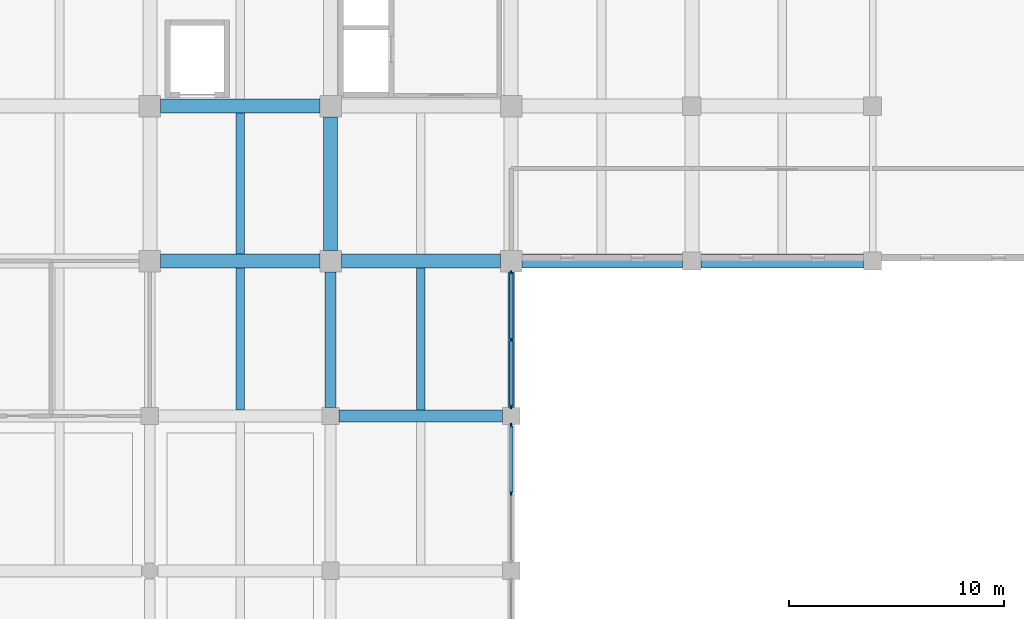
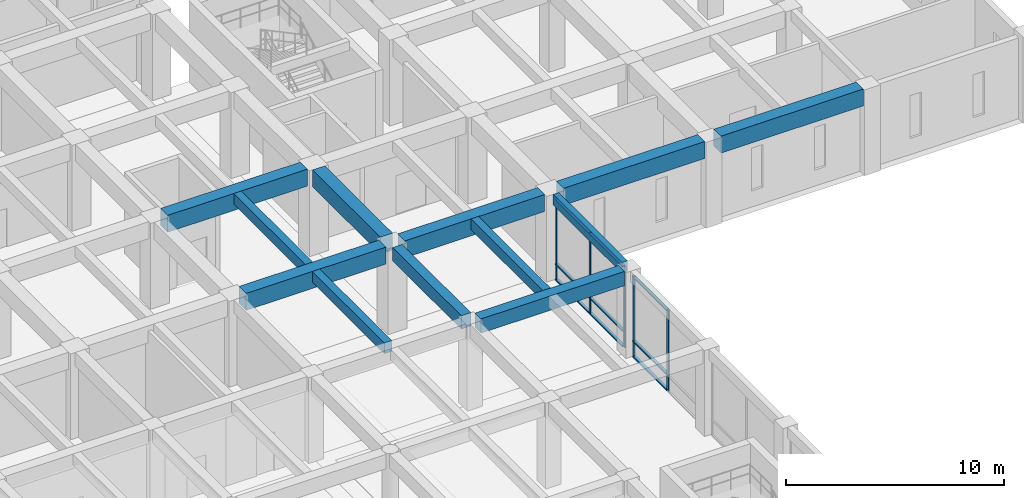
# One storey, part 14 of 49: 14 members, 12 beams, 2 elements without a shape of their own.
"""IFC4 building model written with IfcOpenShell, lengths in metres."""

from ifc_helpers import new_model, si_unit, direction, frame, origin, origin_2d, place, context, subcontext, project, spatial, rectangle, extrude, material, material_profile, profile_set, type_object, element, aggregate, save


model = new_model("IFC4")

# Units and contexts
model_context = context("Model", 3, precision=1e-05, world=origin(), true_north=direction((0.0, 1.0)))
body_context = subcontext(model_context, "Body", "Model", "MODEL_VIEW")
ifc_project = project(units=[si_unit("LENGTHUNIT", "METRE"), si_unit("AREAUNIT", "SQUARE_METRE"), si_unit("VOLUMEUNIT", "CUBIC_METRE"), si_unit("PLANEANGLEUNIT", "RADIAN"), si_unit("MASSUNIT", "GRAM", prefix="KILO")], contexts=[model_context])

# Site, building, storey
site_placement = place(None, origin())
site = spatial("IfcSite", under=ifc_project, at=site_placement, CompositionType="ELEMENT")
building_placement = place(site_placement, origin())
building = spatial("IfcBuilding", under=site, at=building_placement, Name="Kenerak Square Central Library", CompositionType="ELEMENT")
storey_placement = place(building_placement, origin())
storey = spatial("IfcBuildingStorey", under=building, at=storey_placement, Name="L00", CompositionType="ELEMENT", Elevation=0.0)

# Beams
ifc_material_1 = material(Name="Concrete C45/55", Category="concrete")
ifc_material_profile_1 = material_profile(ifc_material_1, rectangle(XDim=0.64990234375, YDim=0.949951171875, at=origin_2d()), Name="RC 650x950")
ifc_profile_set_1 = profile_set([ifc_material_profile_1], Name="Concrete C45/55")
beam_type_1 = type_object("IfcBeamType", Name="Book Stack Girder B-02 RC 650x950 C45/55", PredefinedType="BEAM", material=ifc_profile_set_1)
beam_1_placement = place(storey_placement, frame((100.89990234375, 88.800048828125, 4.324951171875), z_axis=(1.0, 0.0, 0.0), x_axis=(0.0, 1.0, 0.0)))
element("IfcBeam", 1, at=beam_1_placement, inside=storey, type_object=beam_type_1, Name="Beam B-02 L00 0558", PredefinedType="BEAM", context=body_context, shape_type="SweptSolid", body=[
    extrude(rectangle(XDim=0.64990234375, YDim=0.949951171875, at=origin_2d()), origin(), (0.0, 0.0, 1.0), 7.400146484375),
])
beam_2_placement = place(storey_placement, frame((109.300048828125, 88.800048828125, 4.324951171875), z_axis=(1.0, 0.0, 0.0), x_axis=(0.0, 1.0, 0.0)))
element("IfcBeam", 2, at=beam_2_placement, inside=storey, type_object=beam_type_1, Name="Beam B-02 L00 0559", PredefinedType="BEAM", context=body_context, shape_type="SweptSolid", body=[
    extrude(rectangle(XDim=0.64990234375, YDim=0.949951171875, at=origin_2d()), origin(), (0.0, 0.0, 1.0), 7.39990234375),
])
beam_3_placement = place(storey_placement, frame((117.699951171875, 88.800048828125, 4.324951171875), z_axis=(1.0, 0.0, 0.0), x_axis=(0.0, 1.0, 0.0)))
element("IfcBeam", 3, at=beam_3_placement, inside=storey, type_object=beam_type_1, Name="Beam B-02 L00 0560", PredefinedType="BEAM", context=body_context, shape_type="SweptSolid", body=[
    extrude(rectangle(XDim=0.64990234375, YDim=0.949951171875, at=origin_2d()), origin(), (0.0, 0.0, 1.0), 7.47509765625),
])
beam_4_placement = place(storey_placement, frame((126.02490234375, 88.800048828125, 4.324951171875), z_axis=(1.0, 0.0, 0.0), x_axis=(0.0, 1.0, 0.0)))
element("IfcBeam", 4, at=beam_4_placement, inside=storey, type_object=beam_type_1, Name="Beam B-02 L00 0561", PredefinedType="BEAM", context=body_context, shape_type="SweptSolid", body=[
    extrude(rectangle(XDim=0.64990234375, YDim=0.949951171875, at=origin_2d()), origin(), (0.0, 0.0, 1.0), 7.550048828125),
])
beam_5_placement = place(storey_placement, frame((100.89990234375, 96.0, 4.324951171875), z_axis=(1.0, 0.0, 0.0), x_axis=(0.0, 1.0, 0.0)))
element("IfcBeam", 5, at=beam_5_placement, inside=storey, type_object=beam_type_1, Name="Beam B-02 L00 0568", PredefinedType="BEAM", context=body_context, shape_type="SweptSolid", body=[
    extrude(rectangle(XDim=0.64990234375, YDim=0.949951171875, at=origin_2d()), origin(), (0.0, 0.0, 1.0), 7.400146484375),
])
beam_6_placement = place(storey_placement, frame((108.800048828125, 89.300048828125, 4.324951171875), z_axis=(0.0, 1.0, 0.0), x_axis=(-1.0, 0.0, 0.0)))
element("IfcBeam", 6, at=beam_6_placement, inside=storey, type_object=beam_type_1, Name="Beam B-02 L00 0699", PredefinedType="BEAM", context=body_context, shape_type="SweptSolid", body=[
    extrude(rectangle(XDim=0.64990234375, YDim=0.949951171875, at=origin_2d()), origin(), (0.0, 0.0, 1.0), 6.199951171875),
])
ifc_material_2 = material(Name="Concrete C40/50", Category="concrete")
ifc_material_profile_2 = material_profile(ifc_material_2, rectangle(XDim=0.300048828125, YDim=0.60009765625, at=origin_2d()), Name="RC 300x600")
ifc_profile_set_2 = profile_set([ifc_material_profile_2], Name="Concrete C40/50")
beam_type_2 = type_object("IfcBeamType", Name="Courtyard Spandrel Beam SP-02 RC 300x600 C40/50", PredefinedType="SPANDREL", material=ifc_profile_set_2)
beam_7_placement = place(storey_placement, frame((117.199951171875, 82.0, 4.5), z_axis=(0.0, 1.0, 0.0), x_axis=(-1.0, 0.0, 0.0)))
element("IfcBeam", 7, at=beam_7_placement, inside=storey, type_object=beam_type_2, Name="Beam SP-02 L00 0712", PredefinedType="SPANDREL", context=body_context, shape_type="SweptSolid", body=[
    extrude(rectangle(XDim=0.300048828125, YDim=0.60009765625, at=origin_2d()), origin(), (0.0, 0.0, 1.0), 6.300048828125),
])

# Curtain wall, members
ifc_material_3 = material(Name="Anodised aluminium and solar-control low-E glazing", Category="aluminium")
curtain_wall_type_1 = type_object("IfcCurtainWallType", Name="Curtain Wall CW-V4-63x45 6300x4525", PredefinedType="USERDEFINED", material=ifc_material_3)
curtain_wall_1_placement = place(storey_placement, origin())
curtain_wall_1 = element("IfcCurtainWall", 8, at=curtain_wall_1_placement, inside=storey, type_object=curtain_wall_type_1, Name="Curtain Wall CW-V4-63x45 L00 0007", ObjectType="CURTAIN WALL", PredefinedType="USERDEFINED")
ifc_material_4 = material(Name="Anodised aluminium 6063-T6", Category="aluminium")
ifc_material_profile_3 = material_profile(ifc_material_4, rectangle(XDim=0.06494140625, YDim=0.179931640625, at=origin_2d()), Name="AL MULLION 65x180")
ifc_profile_set_3 = profile_set([ifc_material_profile_3], Name="Anodised aluminium 6063-T6")
member_type_1 = type_object("IfcMemberType", Name="Curtain Mullion CM-01 65x180", PredefinedType="MULLION", material=ifc_profile_set_3)
member_1_placement = place(storey_placement, frame((117.199951171875, 88.267578125, 0.0), z_axis=(0.0, 0.0, 1.0), x_axis=(1.0, 0.0, 0.0)))
member_1 = element("IfcMember", 9, at=member_1_placement, type_object=member_type_1, Name="CW-V4-63x45 Mullion 1", PredefinedType="MULLION", context=body_context, shape_type="SweptSolid", body=[
    extrude(rectangle(XDim=0.06494140625, YDim=0.179931640625, at=origin_2d()), origin(), (0.0, 0.0, 1.0), 4.52490234375),
])
member_2_placement = place(storey_placement, frame((117.199951171875, 85.14990234375, 0.0), z_axis=(0.0, 0.0, 1.0), x_axis=(1.0, 0.0, 0.0)))
member_2 = element("IfcMember", 10, at=member_2_placement, type_object=member_type_1, Name="CW-V4-63x45 Mullion 2", PredefinedType="MULLION", context=body_context, shape_type="SweptSolid", body=[
    extrude(rectangle(XDim=0.06494140625, YDim=0.179931640625, at=origin_2d()), origin(), (0.0, 0.0, 1.0), 4.52490234375),
])
member_3_placement = place(storey_placement, frame((117.199951171875, 82.032470703125, 0.0), z_axis=(0.0, 0.0, 1.0), x_axis=(1.0, 0.0, 0.0)))
member_3 = element("IfcMember", 11, at=member_3_placement, type_object=member_type_1, Name="CW-V4-63x45 Mullion 3", PredefinedType="MULLION", context=body_context, shape_type="SweptSolid", body=[
    extrude(rectangle(XDim=0.06494140625, YDim=0.179931640625, at=origin_2d()), origin(), (0.0, 0.0, 1.0), 4.52490234375),
])

curtain_wall_type_2 = type_object("IfcCurtainWallType", Name="Curtain Wall CW-V4-64x45 6400x4525", PredefinedType="USERDEFINED", material=ifc_material_3)
curtain_wall_2_placement = place(storey_placement, origin())
curtain_wall_2 = element("IfcCurtainWall", 12, at=curtain_wall_2_placement, inside=storey, type_object=curtain_wall_type_2, Name="Curtain Wall CW-V4-64x45 L00 0008", ObjectType="CURTAIN WALL", PredefinedType="USERDEFINED")
member_4_placement = place(storey_placement, frame((117.199951171875, 81.16748046875, 0.0), z_axis=(0.0, 0.0, 1.0), x_axis=(1.0, 0.0, 0.0)))
member_4 = element("IfcMember", 13, at=member_4_placement, type_object=member_type_1, Name="CW-V4-64x45 Mullion 1", PredefinedType="MULLION", context=body_context, shape_type="SweptSolid", body=[
    extrude(rectangle(XDim=0.06494140625, YDim=0.179931640625, at=origin_2d()), origin(), (0.0, 0.0, 1.0), 4.52490234375),
])
member_5_placement = place(storey_placement, frame((117.199951171875, 78.0, 0.0), z_axis=(0.0, 0.0, 1.0), x_axis=(1.0, 0.0, 0.0)))
member_5 = element("IfcMember", 14, at=member_5_placement, type_object=member_type_1, Name="CW-V4-64x45 Mullion 2", PredefinedType="MULLION", context=body_context, shape_type="SweptSolid", body=[
    extrude(rectangle(XDim=0.06494140625, YDim=0.179931640625, at=origin_2d()), origin(), (0.0, 0.0, 1.0), 4.52490234375),
])

# Member
ifc_material_profile_4 = material_profile(ifc_material_4, rectangle(XDim=0.159912109375, YDim=0.06494140625, at=origin_2d()), Name="AL TRANSOM 160x65")
ifc_profile_set_4 = profile_set([ifc_material_profile_4], Name="Anodised aluminium 6063-T6")
member_type_2 = type_object("IfcMemberType", Name="Curtain Transom CT-11 160x65", PredefinedType="USERDEFINED", material=ifc_profile_set_4)
member_6_placement = place(storey_placement, frame((117.199951171875, 88.235107421875, 0.032470703125), z_axis=(0.0, -1.0, 0.0), x_axis=(1.0, 0.0, 0.0)))
member_6 = element("IfcMember", 15, at=member_6_placement, type_object=member_type_2, Name="CW-V4-63x45 Transom 1.1", ObjectType="TRANSOM", PredefinedType="USERDEFINED", context=body_context, shape_type="SweptSolid", body=[
    extrude(rectangle(XDim=0.159912109375, YDim=0.06494140625, at=origin_2d()), origin(), (0.0, 0.0, 1.0), 3.052490234375),
])

member_7_placement = place(storey_placement, frame((117.199951171875, 88.235107421875, 0.89990234375), z_axis=(0.0, -1.0, 0.0), x_axis=(1.0, 0.0, 0.0)))
member_7 = element("IfcMember", 16, at=member_7_placement, type_object=member_type_2, Name="CW-V4-63x45 Transom 1.2", ObjectType="TRANSOM", PredefinedType="USERDEFINED", context=body_context, shape_type="SweptSolid", body=[
    extrude(rectangle(XDim=0.159912109375, YDim=0.06494140625, at=origin_2d()), origin(), (0.0, 0.0, 1.0), 3.052490234375),
])

member_8_placement = place(storey_placement, frame((117.199951171875, 88.235107421875, 4.492431640625), z_axis=(0.0, -1.0, 0.0), x_axis=(1.0, 0.0, 0.0)))
member_8 = element("IfcMember", 17, at=member_8_placement, type_object=member_type_2, Name="CW-V4-63x45 Transom 1.3", ObjectType="TRANSOM", PredefinedType="USERDEFINED", context=body_context, shape_type="SweptSolid", body=[
    extrude(rectangle(XDim=0.159912109375, YDim=0.06494140625, at=origin_2d()), origin(), (0.0, 0.0, 1.0), 3.052490234375),
])

member_9_placement = place(storey_placement, frame((117.199951171875, 85.117431640625, 0.032470703125), z_axis=(0.0, -1.0, 0.0), x_axis=(1.0, 0.0, 0.0)))
member_9 = element("IfcMember", 18, at=member_9_placement, type_object=member_type_2, Name="CW-V4-63x45 Transom 2.1", ObjectType="TRANSOM", PredefinedType="USERDEFINED", context=body_context, shape_type="SweptSolid", body=[
    extrude(rectangle(XDim=0.159912109375, YDim=0.06494140625, at=origin_2d()), origin(), (0.0, 0.0, 1.0), 3.052490234375),
])

member_10_placement = place(storey_placement, frame((117.199951171875, 85.117431640625, 0.89990234375), z_axis=(0.0, -1.0, 0.0), x_axis=(1.0, 0.0, 0.0)))
member_10 = element("IfcMember", 19, at=member_10_placement, type_object=member_type_2, Name="CW-V4-63x45 Transom 2.2", ObjectType="TRANSOM", PredefinedType="USERDEFINED", context=body_context, shape_type="SweptSolid", body=[
    extrude(rectangle(XDim=0.159912109375, YDim=0.06494140625, at=origin_2d()), origin(), (0.0, 0.0, 1.0), 3.052490234375),
])

member_11_placement = place(storey_placement, frame((117.199951171875, 85.117431640625, 4.492431640625), z_axis=(0.0, -1.0, 0.0), x_axis=(1.0, 0.0, 0.0)))
member_11 = element("IfcMember", 20, at=member_11_placement, type_object=member_type_2, Name="CW-V4-63x45 Transom 2.3", ObjectType="TRANSOM", PredefinedType="USERDEFINED", context=body_context, shape_type="SweptSolid", body=[
    extrude(rectangle(XDim=0.159912109375, YDim=0.06494140625, at=origin_2d()), origin(), (0.0, 0.0, 1.0), 3.052490234375),
])

aggregate(curtain_wall_1, [member_1, member_2, member_3, member_6, member_7, member_8, member_9, member_10, member_11])

member_12_placement = place(storey_placement, frame((117.199951171875, 81.135009765625, 0.032470703125), z_axis=(0.0, -1.0, 0.0), x_axis=(1.0, 0.0, 0.0)))
member_12 = element("IfcMember", 21, at=member_12_placement, type_object=member_type_2, Name="CW-V4-64x45 Transom 1.1", ObjectType="TRANSOM", PredefinedType="USERDEFINED", context=body_context, shape_type="SweptSolid", body=[
    extrude(rectangle(XDim=0.159912109375, YDim=0.06494140625, at=origin_2d()), origin(), (0.0, 0.0, 1.0), 3.1025390625),
])

member_13_placement = place(storey_placement, frame((117.199951171875, 81.135009765625, 0.89990234375), z_axis=(0.0, -1.0, 0.0), x_axis=(1.0, 0.0, 0.0)))
member_13 = element("IfcMember", 22, at=member_13_placement, type_object=member_type_2, Name="CW-V4-64x45 Transom 1.2", ObjectType="TRANSOM", PredefinedType="USERDEFINED", context=body_context, shape_type="SweptSolid", body=[
    extrude(rectangle(XDim=0.159912109375, YDim=0.06494140625, at=origin_2d()), origin(), (0.0, 0.0, 1.0), 3.1025390625),
])

member_14_placement = place(storey_placement, frame((117.199951171875, 81.135009765625, 4.492431640625), z_axis=(0.0, -1.0, 0.0), x_axis=(1.0, 0.0, 0.0)))
member_14 = element("IfcMember", 23, at=member_14_placement, type_object=member_type_2, Name="CW-V4-64x45 Transom 1.3", ObjectType="TRANSOM", PredefinedType="USERDEFINED", context=body_context, shape_type="SweptSolid", body=[
    extrude(rectangle(XDim=0.159912109375, YDim=0.06494140625, at=origin_2d()), origin(), (0.0, 0.0, 1.0), 3.1025390625),
])

aggregate(curtain_wall_2, [member_4, member_5, member_12, member_13, member_14])

# Beams
ifc_material_profile_5 = material_profile(ifc_material_2, rectangle(XDim=0.550048828125, YDim=0.800048828125, at=origin_2d()), Name="RC 550x800")
ifc_profile_set_5 = profile_set([ifc_material_profile_5], Name="Concrete C40/50")
beam_type_3 = type_object("IfcBeamType", Name="Primary Reading Beam B-04 RC 550x800 C40/50", PredefinedType="BEAM", material=ifc_profile_set_5)
beam_8_placement = place(storey_placement, frame((109.199951171875, 81.60009765625, 4.39990234375), z_axis=(1.0, 0.0, 0.0), x_axis=(0.0, 1.0, 0.0)))
element("IfcBeam", 24, at=beam_8_placement, inside=storey, type_object=beam_type_3, Name="Beam B-04 L00 0551", PredefinedType="BEAM", context=body_context, shape_type="SweptSolid", body=[
    extrude(rectangle(XDim=0.550048828125, YDim=0.800048828125, at=origin_2d()), origin(), (0.0, 0.0, 1.0), 7.60009765625),
])
ifc_material_profile_6 = material_profile(ifc_material_2, rectangle(XDim=0.39990234375, YDim=0.60009765625, at=origin_2d()), Name="RC 400x600")
ifc_profile_set_6 = profile_set([ifc_material_profile_6], Name="Concrete C40/50")
beam_type_4 = type_object("IfcBeamType", Name="Secondary Floor Joist J-01 RC 400x600 C40/50", PredefinedType="JOIST", material=ifc_profile_set_6)
beam_9_placement = place(storey_placement, frame((104.60009765625, 81.875, 4.5), z_axis=(0.0, 1.0, 0.0), x_axis=(-1.0, 0.0, 0.0)))
element("IfcBeam", 25, at=beam_9_placement, inside=storey, type_object=beam_type_4, Name="Joist J-01 L00 0818", PredefinedType="JOIST", context=body_context, shape_type="SweptSolid", body=[
    extrude(rectangle(XDim=0.39990234375, YDim=0.60009765625, at=origin_2d()), origin(), (0.0, 0.0, 1.0), 6.60009765625),
])
beam_10_placement = place(storey_placement, frame((104.60009765625, 89.125, 4.5), z_axis=(0.0, 1.0, 0.0), x_axis=(-1.0, 0.0, 0.0)))
element("IfcBeam", 26, at=beam_10_placement, inside=storey, type_object=beam_type_4, Name="Joist J-01 L00 0819", PredefinedType="JOIST", context=body_context, shape_type="SweptSolid", body=[
    extrude(rectangle(XDim=0.39990234375, YDim=0.60009765625, at=origin_2d()), origin(), (0.0, 0.0, 1.0), 6.550048828125),
])
beam_11_placement = place(storey_placement, frame((113.0, 81.875, 4.5), z_axis=(0.0, 1.0, 0.0), x_axis=(-1.0, 0.0, 0.0)))
element("IfcBeam", 27, at=beam_11_placement, inside=storey, type_object=beam_type_4, Name="Joist J-01 L00 0826", PredefinedType="JOIST", context=body_context, shape_type="SweptSolid", body=[
    extrude(rectangle(XDim=0.39990234375, YDim=0.60009765625, at=origin_2d()), origin(), (0.0, 0.0, 1.0), 6.60009765625),
])
ifc_material_profile_7 = material_profile(ifc_material_2, rectangle(XDim=0.5, YDim=0.75, at=origin_2d()), Name="RC 500x750")
ifc_profile_set_7 = profile_set([ifc_material_profile_7], Name="Concrete C40/50")
beam_type_5 = type_object("IfcBeamType", Name="Transverse Frame Beam B-05 RC 500x750 C40/50", PredefinedType="BEAM", material=ifc_profile_set_7)
beam_12_placement = place(storey_placement, frame((108.800048828125, 82.0, 4.425048828125), z_axis=(0.0, 1.0, 0.0), x_axis=(-1.0, 0.0, 0.0)))
element("IfcBeam", 28, at=beam_12_placement, inside=storey, type_object=beam_type_5, Name="Beam B-05 L00 0698", PredefinedType="BEAM", context=body_context, shape_type="SweptSolid", body=[
    extrude(rectangle(XDim=0.5, YDim=0.75, at=origin_2d()), origin(), (0.0, 0.0, 1.0), 6.300048828125),
])

save(model, "model.ifc")
